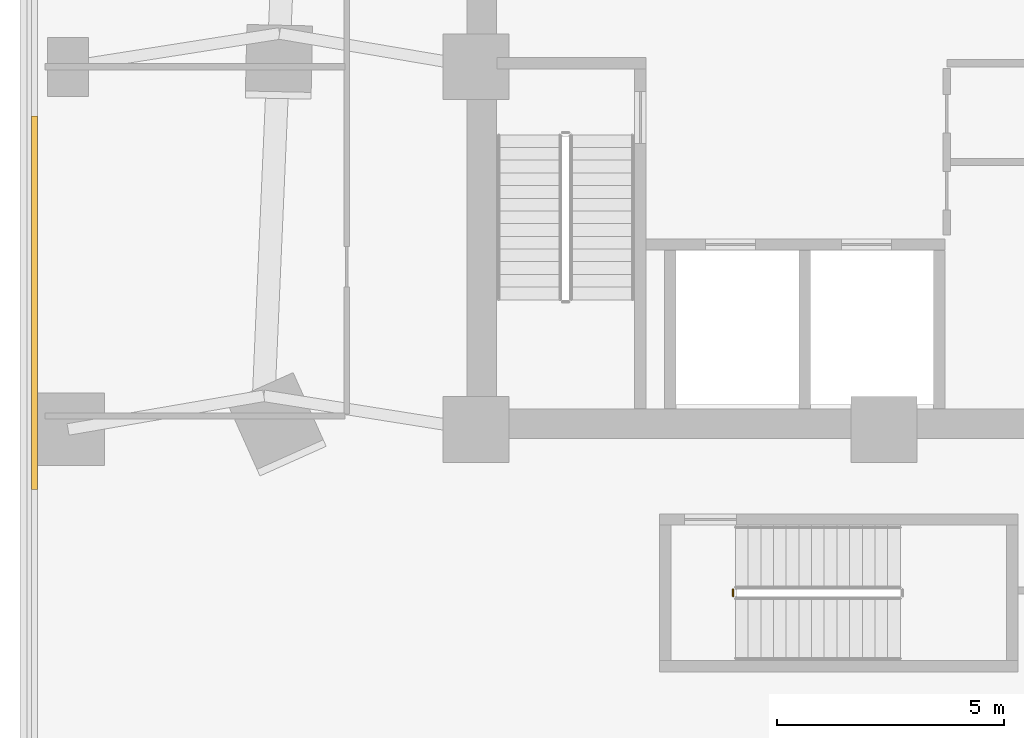
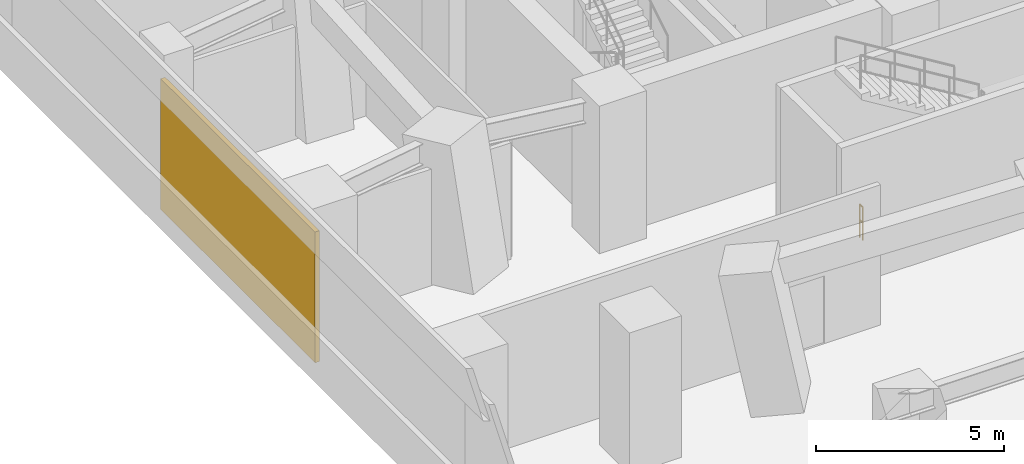
# One storey, part 9 of 14: 1 covering, 1 railing.
"""IFC4 building model written with IfcOpenShell, lengths in metres."""

from ifc_helpers import new_model, si_unit, direction, frame, origin, origin_2d, place, context, subcontext, project, spatial, rectangle, circle, extrude, source, transform, mapped, material, layer, layer_set, type_object, element, save


model = new_model("IFC4")

# Units and contexts
model_context = context("Model", 3, precision=1e-05, world=origin(), true_north=direction((0.0, 1.0)))
body_context = subcontext(model_context, "Body", "Model", "MODEL_VIEW")
ifc_project = project(units=[si_unit("LENGTHUNIT", "METRE"), si_unit("AREAUNIT", "SQUARE_METRE"), si_unit("VOLUMEUNIT", "CUBIC_METRE"), si_unit("PLANEANGLEUNIT", "RADIAN"), si_unit("MASSUNIT", "GRAM", prefix="KILO")], contexts=[model_context])

# Site, building, storey
site_placement = place(None, origin())
site = spatial("IfcSite", under=ifc_project, at=site_placement, CompositionType="ELEMENT")
building_placement = place(site_placement, origin())
building = spatial("IfcBuilding", under=site, at=building_placement, Name="Torre Montelarca", CompositionType="ELEMENT")
storey_placement = place(building_placement, frame((0.0, 0.0, 28.0)))
storey = spatial("IfcBuildingStorey", under=building, at=storey_placement, Name="L06", CompositionType="ELEMENT", Elevation=28.0)

# Railing
ifc_material_1 = material(Name="Powder-coated steel ASTM A500 Grade C", Category="steel")
railing_type = type_object("IfcRailingType", Name="RL-GUARD-1100", PredefinedType="BALUSTRADE", material=ifc_material_1)
railing_placement = place(storey_placement, frame((14.669921875, 20.320068359375, 0.0)))
element("IfcRailing", 1, at=railing_placement, inside=storey, type_object=railing_type, Name="L06 ST3 stair guard 4", PredefinedType="BALUSTRADE", context=body_context, shape_type="SweptSolid", body=[
    extrude(circle(Radius=0.02392578125, at=origin_2d()), frame((0.0, 0.0, 1.076171875), z_axis=(0.0, 1.0, 0.0), x_axis=(-1.0, 0.0, 0.0)), (0.0, 0.0, 1.0), 0.14990234375),
    extrude(circle(Radius=0.02099609375, at=origin_2d()), frame((0.0, 0.0, 0.572021484375), z_axis=(0.0, 1.0, 0.0), x_axis=(-1.0, 0.0, 0.0)), (0.0, 0.0, 1.0), 0.14990234375),
    extrude(circle(Radius=0.02099609375, at=origin_2d()), origin(), (0.0, 0.0, 1.0), 1.052001953125),
    extrude(circle(Radius=0.02099609375, at=origin_2d()), frame((0.0, 0.14990234375, 0.0)), (0.0, 0.0, 1.0), 1.052001953125),
])

# Covering
ifc_material_2 = material(Name="Bush-hammered warm white precast concrete C45/55", Category="concrete")
ifc_layer = layer(ifc_material_2, 0.139892578125, Name="Bush-hammered warm white precast concrete C45/55", Category="concrete")
ifc_layer_set = layer_set([ifc_layer], Name="Bush-hammered warm white precast concrete C45/55")
covering_type = type_object("IfcCoveringType", Name="COV-TRAY-CLAD", PredefinedType="CLADDING", material=ifc_layer_set)
shared_shape = source(origin(), body_context, "Body", "SweptSolid", [
    extrude(rectangle(XDim=8.22998046875, YDim=0.139892578125, at=origin_2d()), origin(), (0.0, 0.0, 1.0), 4.25),
])
covering_placement = place(storey_placement, frame((-0.739990234375, 26.794921875, 0.0), z_axis=(0.0, 0.0, 1.0), x_axis=(0.0, -1.0, 0.0)))
element("IfcCovering", 2, at=covering_placement, inside=storey, type_object=covering_type, Name="L06 Architectural Column Pier Cladding E10-5", PredefinedType="CLADDING", context=body_context, shape_type="MappedRepresentation", body=[
    mapped(shared_shape, transform((0.0, 0.0, 0.0), scale=1.0)),
])

save(model, "model.ifc")
